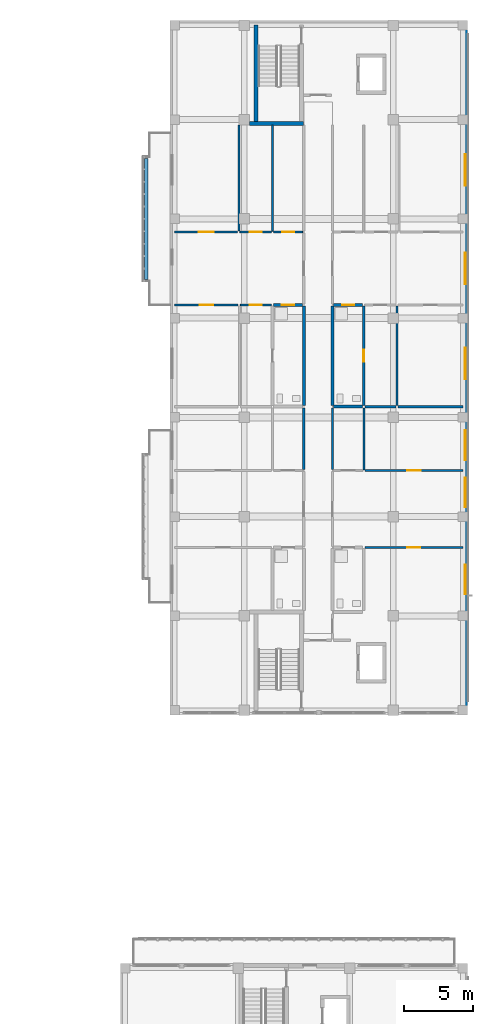
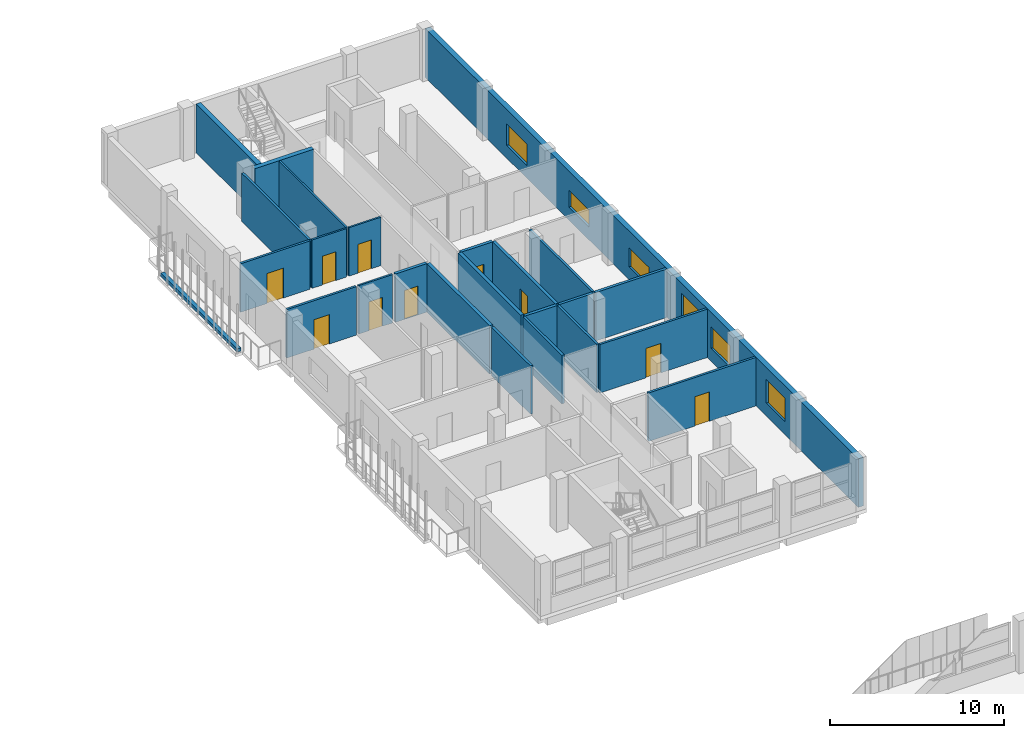
# One storey, part 51 of 73: 25 walls, 10 doors, 6 windows, 16 openings.
"""IFC4 building model written with IfcOpenShell, lengths in metres."""

from ifc_helpers import new_model, si_unit, derived_unit, direction, frame, frame_2d, origin, place, context, subcontext, project, spatial, rectangle, extrude, material, layer, layer_set, type_object, element, fill, save


model = new_model("IFC4")

# Units and contexts
model_context = context("Model", 3, precision=1e-05, world=origin(), true_north=direction((0.0, 1.0)))
body_context = subcontext(model_context, "Body", "Model", "MODEL_VIEW")
ifc_project = project(units=[si_unit("LENGTHUNIT", "METRE"), si_unit("AREAUNIT", "SQUARE_METRE"), si_unit("VOLUMEUNIT", "CUBIC_METRE"), si_unit("PLANEANGLEUNIT", "RADIAN"), si_unit("MASSUNIT", "GRAM", prefix="KILO"), derived_unit("THERMALTRANSMITTANCEUNIT", [(si_unit("MASSUNIT", "GRAM", prefix="KILO"), 1), (si_unit("TIMEUNIT", "SECOND"), -3), (si_unit("THERMODYNAMICTEMPERATUREUNIT", "KELVIN"), -1)])], contexts=[model_context])

# Site, building, storey
site_placement = place(None, origin())
site = spatial("IfcSite", under=ifc_project, at=site_placement, CompositionType="ELEMENT")
building_placement = place(site_placement, origin())
building = spatial("IfcBuilding", under=site, at=building_placement, Name="Ochrekiln Boulevard Commons", CompositionType="ELEMENT")
storey_placement = place(building_placement, frame((0.0, 0.0, 4.89990234375)))
storey = spatial("IfcBuildingStorey", under=building, at=storey_placement, Name="L01", CompositionType="ELEMENT", Elevation=4.89990234375)

# Wall, openings, windows
ifc_material_1 = material(Name="Iron-spot brown clinker brick masonry ASTM C216 Grade SW", Category="masonry")
ifc_layer_1 = layer(ifc_material_1, 0.340087890625)
ifc_layer_set_1 = layer_set([ifc_layer_1], Name="Iron-spot brown clinker brick masonry ASTM C216 Grade SW")
wall_type_1 = type_object("IfcWallType", Name="WL-EXT-IRON-340", PredefinedType="SOLIDWALL", material=ifc_layer_set_1)
wall_1_placement = place(storey_placement, frame((172.6298828125, 68.739990234375, 0.0), z_axis=(0.0, 0.0, 1.0), x_axis=(0.0, 1.0, 0.0)))
wall_1 = element("IfcWall", 1, at=wall_1_placement, inside=storey, type_object=wall_type_1, Name="Block B L01 E Exterior Wall", PredefinedType="SOLIDWALL", context=body_context, shape_type="SweptSolid", body=[
    extrude(rectangle(XDim=49.719970703125, YDim=0.340087890625, at=frame_2d((24.85986328125, 0.0))), origin(), (0.0, 0.0, 1.0), 3.4150390625),
])
opening_1_placement = place(wall_1_placement, frame((14.7490234375, 0.0, 0.89990234375)))
opening_1 = element("IfcOpeningElement", 2, at=opening_1_placement, cuts=wall_1, Name="Opening W-53", PredefinedType="OPENING", context=body_context, shape_type="SweptSolid", body=[
    extrude(rectangle(XDim=2.14990234375, YDim=1.5, at=frame_2d((1.074951171875, 0.75))), frame((0.0, 0.179931640625, 0.0), z_axis=(0.0, -1.0, 0.0), x_axis=(1.0, 0.0, 0.0)), (0.0, 0.0, 1.0), 0.360107421875),
])
opening_2_placement = place(wall_1_placement, frame((8.422119140625, 0.0, 0.89990234375)))
opening_2 = element("IfcOpeningElement", 3, at=opening_2_placement, cuts=wall_1, Name="Opening W-54", PredefinedType="OPENING", context=body_context, shape_type="SweptSolid", body=[
    extrude(rectangle(XDim=2.14990234375, YDim=1.64990234375, at=frame_2d((1.074951171875, 0.824951171875))), frame((0.0, 0.179931640625, 0.0), z_axis=(0.0, -1.0, 0.0), x_axis=(1.0, 0.0, 0.0)), (0.0, 0.0, 1.0), 0.360107421875),
])
opening_3_placement = place(wall_1_placement, frame((18.159912109375, 0.0, 0.89990234375)))
opening_3 = element("IfcOpeningElement", 4, at=opening_3_placement, cuts=wall_1, Name="Opening W-55", PredefinedType="OPENING", context=body_context, shape_type="SweptSolid", body=[
    extrude(rectangle(XDim=2.14990234375, YDim=1.800048828125, at=frame_2d((1.074951171875, 0.89990234375))), frame((0.0, 0.179931640625, 0.0), z_axis=(0.0, -1.0, 0.0), x_axis=(1.0, 0.0, 0.0)), (0.0, 0.0, 1.0), 0.360107421875),
])
opening_4_placement = place(wall_1_placement, frame((30.909912109375, 0.0, 0.89990234375)))
opening_4 = element("IfcOpeningElement", 5, at=opening_4_placement, cuts=wall_1, Name="Opening W-56", PredefinedType="OPENING", context=body_context, shape_type="SweptSolid", body=[
    extrude(rectangle(XDim=2.300048828125, YDim=1.199951171875, at=frame_2d((1.14990234375, 0.60009765625))), frame((0.0, 0.179931640625, 0.0), z_axis=(0.0, -1.0, 0.0), x_axis=(1.0, 0.0, 0.0)), (0.0, 0.0, 1.0), 0.360107421875),
])
opening_5_placement = place(wall_1_placement, frame((24.011962890625, 0.0, 0.89990234375)))
opening_5 = element("IfcOpeningElement", 6, at=opening_5_placement, cuts=wall_1, Name="Opening W-57", PredefinedType="OPENING", context=body_context, shape_type="SweptSolid", body=[
    extrude(rectangle(XDim=2.300048828125, YDim=1.35009765625, at=frame_2d((1.14990234375, 0.675048828125))), frame((0.0, 0.179931640625, 0.0), z_axis=(0.0, -1.0, 0.0), x_axis=(1.0, 0.0, 0.0)), (0.0, 0.0, 1.0), 0.360107421875),
])
opening_6_placement = place(wall_1_placement, frame((38.044921875, 0.0, 0.89990234375)))
opening_6 = element("IfcOpeningElement", 7, at=opening_6_placement, cuts=wall_1, Name="Opening W-58", PredefinedType="OPENING", context=body_context, shape_type="SweptSolid", body=[
    extrude(rectangle(XDim=2.300048828125, YDim=1.5, at=frame_2d((1.14990234375, 0.75))), frame((0.0, 0.179931640625, 0.0), z_axis=(0.0, -1.0, 0.0), x_axis=(1.0, 0.0, 0.0)), (0.0, 0.0, 1.0), 0.360107421875),
])
ifc_material_2 = material(Name="Thermally broken aluminium-clad oak frame", Category="aluminium")
window_type_1 = type_object("IfcWindowType", Name="WIN-EXT-53", PartitioningType="DOUBLE_PANEL_VERTICAL", PredefinedType="WINDOW", material=ifc_material_2)
window_1_placement = place(opening_1_placement, origin())
window_1 = element("IfcWindow", 8, at=window_1_placement, inside=storey, type_object=window_type_1, Name="Block B L01 Punched Masonry Window W-53", OverallHeight=1.5, OverallWidth=2.14990234375, PartitioningType="DOUBLE_PANEL_VERTICAL", PredefinedType="WINDOW", context=body_context, shape_type="SweptSolid", body=[
    extrude(rectangle(XDim=2.14990234375, YDim=1.5, at=frame_2d((1.074951171875, 0.75))), frame((0.0, 0.030029296875, 0.0), z_axis=(0.0, -1.0, 0.0), x_axis=(1.0, 0.0, 0.0)), (0.0, 0.0, 1.0), 0.06005859375),
])
fill(opening_1, window_1)
window_type_2 = type_object("IfcWindowType", Name="WIN-EXT-54", PartitioningType="DOUBLE_PANEL_VERTICAL", PredefinedType="WINDOW", material=ifc_material_2)
window_2_placement = place(opening_2_placement, origin())
window_2 = element("IfcWindow", 9, at=window_2_placement, inside=storey, type_object=window_type_2, Name="Block B L01 Punched Masonry Window W-54", OverallHeight=1.64990234375, OverallWidth=2.14990234375, PartitioningType="DOUBLE_PANEL_VERTICAL", PredefinedType="WINDOW", context=body_context, shape_type="SweptSolid", body=[
    extrude(rectangle(XDim=2.14990234375, YDim=1.64990234375, at=frame_2d((1.074951171875, 0.824951171875))), frame((0.0, 0.030029296875, 0.0), z_axis=(0.0, -1.0, 0.0), x_axis=(1.0, 0.0, 0.0)), (0.0, 0.0, 1.0), 0.06005859375),
])
fill(opening_2, window_2)
window_type_3 = type_object("IfcWindowType", Name="WIN-EXT-55", PartitioningType="DOUBLE_PANEL_VERTICAL", PredefinedType="WINDOW", material=ifc_material_2)
window_3_placement = place(opening_3_placement, origin())
window_3 = element("IfcWindow", 10, at=window_3_placement, inside=storey, type_object=window_type_3, Name="Block B L01 Punched Masonry Window W-55", OverallHeight=1.800048828125, OverallWidth=2.14990234375, PartitioningType="DOUBLE_PANEL_VERTICAL", PredefinedType="WINDOW", context=body_context, shape_type="SweptSolid", body=[
    extrude(rectangle(XDim=2.14990234375, YDim=1.800048828125, at=frame_2d((1.074951171875, 0.89990234375))), frame((0.0, 0.030029296875, 0.0), z_axis=(0.0, -1.0, 0.0), x_axis=(1.0, 0.0, 0.0)), (0.0, 0.0, 1.0), 0.06005859375),
])
fill(opening_3, window_3)
window_type_4 = type_object("IfcWindowType", Name="WIN-EXT-56", PartitioningType="DOUBLE_PANEL_VERTICAL", PredefinedType="WINDOW", material=ifc_material_2)
window_4_placement = place(opening_4_placement, origin())
window_4 = element("IfcWindow", 11, at=window_4_placement, inside=storey, type_object=window_type_4, Name="Block B L01 Punched Masonry Window W-56", OverallHeight=1.199951171875, OverallWidth=2.300048828125, PartitioningType="DOUBLE_PANEL_VERTICAL", PredefinedType="WINDOW", context=body_context, shape_type="SweptSolid", body=[
    extrude(rectangle(XDim=2.300048828125, YDim=1.199951171875, at=frame_2d((1.14990234375, 0.60009765625))), frame((0.0, 0.030029296875, 0.0), z_axis=(0.0, -1.0, 0.0), x_axis=(1.0, 0.0, 0.0)), (0.0, 0.0, 1.0), 0.06005859375),
])
fill(opening_4, window_4)
window_type_5 = type_object("IfcWindowType", Name="WIN-EXT-57", PartitioningType="DOUBLE_PANEL_VERTICAL", PredefinedType="WINDOW", material=ifc_material_2)
window_5_placement = place(opening_5_placement, origin())
window_5 = element("IfcWindow", 12, at=window_5_placement, inside=storey, type_object=window_type_5, Name="Block B L01 Punched Masonry Window W-57", OverallHeight=1.35009765625, OverallWidth=2.300048828125, PartitioningType="DOUBLE_PANEL_VERTICAL", PredefinedType="WINDOW", context=body_context, shape_type="SweptSolid", body=[
    extrude(rectangle(XDim=2.300048828125, YDim=1.35009765625, at=frame_2d((1.14990234375, 0.675048828125))), frame((0.0, 0.030029296875, 0.0), z_axis=(0.0, -1.0, 0.0), x_axis=(1.0, 0.0, 0.0)), (0.0, 0.0, 1.0), 0.06005859375),
])
fill(opening_5, window_5)
window_type_6 = type_object("IfcWindowType", Name="WIN-EXT-58", PartitioningType="DOUBLE_PANEL_VERTICAL", PredefinedType="WINDOW", material=ifc_material_2)
window_6_placement = place(opening_6_placement, origin())
window_6 = element("IfcWindow", 13, at=window_6_placement, inside=storey, type_object=window_type_6, Name="Block B L01 Punched Masonry Window W-58", OverallHeight=1.5, OverallWidth=2.300048828125, PartitioningType="DOUBLE_PANEL_VERTICAL", PredefinedType="WINDOW", context=body_context, shape_type="SweptSolid", body=[
    extrude(rectangle(XDim=2.300048828125, YDim=1.5, at=frame_2d((1.14990234375, 0.75))), frame((0.0, 0.030029296875, 0.0), z_axis=(0.0, -1.0, 0.0), x_axis=(1.0, 0.0, 0.0)), (0.0, 0.0, 1.0), 0.06005859375),
])
fill(opening_6, window_6)

# Wall, opening, door
ifc_material_3 = material(Name="Moisture-resistant cementitious tile backer wall")
ifc_layer_2 = layer(ifc_material_3, 0.199951171875)
ifc_layer_set_2 = layer_set([ifc_layer_2], Name="Moisture-resistant cementitious tile backer wall")
wall_type_2 = type_object("IfcWallType", Name="WL-PLM-200", PredefinedType="PLUMBINGWALL", material=ifc_layer_set_2)
wall_2_placement = place(storey_placement, frame((158.719970703125, 98.14990234375, 0.0), z_axis=(0.0, 0.0, 1.0), x_axis=(1.0, 0.0, 0.0)))
wall_2 = element("IfcWall", 14, at=wall_2_placement, inside=storey, type_object=wall_type_2, Name="L01 Interior Wall W-PW200", PredefinedType="PLUMBINGWALL", context=body_context, shape_type="SweptSolid", body=[
    extrude(rectangle(XDim=2.10693359375, YDim=0.199951171875, at=frame_2d((1.053466796875, 0.0))), origin(), (0.0, 0.0, 1.0), 3.39501953125),
])
opening_7_placement = place(wall_2_placement, frame((0.60498046875, 0.0, 0.0)))
opening_7 = element("IfcOpeningElement", 15, at=opening_7_placement, cuts=wall_2, Name="Opening D-L01-188", PredefinedType="OPENING", context=body_context, shape_type="SweptSolid", body=[
    extrude(rectangle(XDim=0.889892578125, YDim=2.030029296875, at=frame_2d((0.44482421875, 1.01513671875))), frame((0.0, 0.10986328125, 0.0), z_axis=(0.0, -1.0, 0.0), x_axis=(1.0, 0.0, 0.0)), (0.0, 0.0, 1.0), 0.219970703125),
])
ifc_material_4 = material(Name="Solid core architectural oak door leaf")
door_type_1 = type_object("IfcDoorType", Name="DR-INT-BTH-089", OperationType="NOTDEFINED", PredefinedType="DOOR", material=ifc_material_4)
door_1_placement = place(opening_7_placement, frame((0.889892578125, 0.0, 0.0), z_axis=(0.0, 0.0, 1.0), x_axis=(-1.0, 0.0, 0.0)))
door_1 = element("IfcDoor", 16, at=door_1_placement, inside=storey, type_object=door_type_1, Name="L01 Interior Door to Apartment Bathroom", OperationType="SINGLE_SWING_RIGHT", OverallHeight=2.030029296875, OverallWidth=0.889892578125, PredefinedType="DOOR", context=body_context, shape_type="SweptSolid", body=[
    extrude(rectangle(XDim=0.889892578125, YDim=2.030029296875, at=frame_2d((0.44482421875, 1.01513671875))), frame((0.0, 0.02490234375, 0.0), z_axis=(0.0, -1.0, 0.0), x_axis=(1.0, 0.0, 0.0)), (0.0, 0.0, 1.0), 0.050048828125),
])
fill(opening_7, door_1)

# Wall
wall_3_placement = place(storey_placement, frame((163.072998046875, 90.783935546875, 0.0), z_axis=(0.0, 0.0, 1.0), x_axis=(1.0, 0.0, 0.0)))
element("IfcWall", 17, at=wall_3_placement, inside=storey, type_object=wall_type_2, Name="L01 Interior Wall W-PW200", PredefinedType="PLUMBINGWALL", context=body_context, shape_type="SweptSolid", body=[
    extrude(rectangle(XDim=2.10693359375, YDim=0.199951171875, at=frame_2d((1.053466796875, 0.0))), origin(), (0.0, 0.0, 1.0), 3.39501953125),
])

# Wall, opening, door
wall_4_placement = place(storey_placement, frame((163.072998046875, 98.14990234375, 0.0), z_axis=(0.0, 0.0, 1.0), x_axis=(1.0, 0.0, 0.0)))
wall_4 = element("IfcWall", 18, at=wall_4_placement, inside=storey, type_object=wall_type_2, Name="L01 Interior Wall W-PW200", PredefinedType="PLUMBINGWALL", context=body_context, shape_type="SweptSolid", body=[
    extrude(rectangle(XDim=2.10693359375, YDim=0.199951171875, at=frame_2d((1.053466796875, 0.0))), origin(), (0.0, 0.0, 1.0), 3.39501953125),
])
opening_8_placement = place(wall_4_placement, frame((0.612060546875, 0.0, 0.0)))
opening_8 = element("IfcOpeningElement", 19, at=opening_8_placement, cuts=wall_4, Name="Opening D-L01-199", PredefinedType="OPENING", context=body_context, shape_type="SweptSolid", body=[
    extrude(rectangle(XDim=0.889892578125, YDim=2.030029296875, at=frame_2d((0.44482421875, 1.01513671875))), frame((0.0, 0.10986328125, 0.0), z_axis=(0.0, -1.0, 0.0), x_axis=(1.0, 0.0, 0.0)), (0.0, 0.0, 1.0), 0.219970703125),
])
door_2_placement = place(opening_8_placement, frame((0.889892578125, 0.0, 0.0), z_axis=(0.0, 0.0, 1.0), x_axis=(-1.0, 0.0, 0.0)))
door_2 = element("IfcDoor", 20, at=door_2_placement, inside=storey, type_object=door_type_1, Name="L01 Interior Door to Apartment Bathroom", OperationType="SINGLE_SWING_LEFT", OverallHeight=2.030029296875, OverallWidth=0.889892578125, PredefinedType="DOOR", context=body_context, shape_type="SweptSolid", body=[
    extrude(rectangle(XDim=0.889892578125, YDim=2.030029296875, at=frame_2d((0.44482421875, 1.01513671875))), frame((0.0, 0.02490234375, 0.0), z_axis=(0.0, -1.0, 0.0), x_axis=(1.0, 0.0, 0.0)), (0.0, 0.0, 1.0), 0.050048828125),
])
fill(opening_8, door_2)

wall_5_placement = place(storey_placement, frame((165.260009765625, 90.8740234375, 0.0), z_axis=(0.0, 0.0, 1.0), x_axis=(0.0, 1.0, 0.0)))
wall_5 = element("IfcWall", 21, at=wall_5_placement, inside=storey, type_object=wall_type_2, Name="L01 Interior Wall W-PW200", PredefinedType="PLUMBINGWALL", context=body_context, shape_type="SweptSolid", body=[
    extrude(rectangle(XDim=7.216064453125, YDim=0.199951171875, at=frame_2d((3.60791015625, 0.0))), origin(), (0.0, 0.0, 1.0), 3.39501953125),
])
opening_9_placement = place(wall_5_placement, frame((3.173095703125, 0.0, 0.0)))
opening_9 = element("IfcOpeningElement", 22, at=opening_9_placement, cuts=wall_5, Name="Opening D-L01-205", PredefinedType="OPENING", context=body_context, shape_type="SweptSolid", body=[
    extrude(rectangle(XDim=0.85009765625, YDim=2.010009765625, at=frame_2d((0.425048828125, 1.0048828125))), frame((0.0, 0.10986328125, 0.0), z_axis=(0.0, -1.0, 0.0), x_axis=(1.0, 0.0, 0.0)), (0.0, 0.0, 1.0), 0.219970703125),
])
door_type_2 = type_object("IfcDoorType", Name="DR-INT-KIT-085", OperationType="NOTDEFINED", PredefinedType="DOOR", material=ifc_material_4)
door_3_placement = place(opening_9_placement, origin())
door_3 = element("IfcDoor", 23, at=door_3_placement, inside=storey, type_object=door_type_2, Name="L01 Interior Door to Apartment Bathroom", OperationType="SINGLE_SWING_LEFT", OverallHeight=2.010009765625, OverallWidth=0.85009765625, PredefinedType="DOOR", context=body_context, shape_type="SweptSolid", body=[
    extrude(rectangle(XDim=0.85009765625, YDim=2.010009765625, at=frame_2d((0.425048828125, 1.0048828125))), frame((0.0, 0.02490234375, 0.0), z_axis=(0.0, -1.0, 0.0), x_axis=(1.0, 0.0, 0.0)), (0.0, 0.0, 1.0), 0.050048828125),
])
fill(opening_9, door_3)

# Walls
ifc_layer_3 = layer(ifc_material_3, 0.219970703125)
ifc_layer_set_3 = layer_set([ifc_layer_3], Name="Moisture-resistant cementitious tile backer wall")
wall_type_3 = type_object("IfcWallType", Name="WL-PLM-220", PredefinedType="PLUMBINGWALL", material=ifc_layer_set_3)
for number, where, z_axis, x_axis, name in (
    (24, (160.909912109375, 90.8740234375, 0.0), (0.0, 0.0, 1.0), (0.0, 1.0, 0.0), "L01 Interior Wall W-PW220"),
    (25, (162.989990234375, 90.8740234375, 0.0), (0.0, 0.0, 1.0), (0.0, 1.0, 0.0), "L01 Interior Wall W-PW220"),
):
    element("IfcWall", number, at=place(storey_placement, frame(where, z_axis=z_axis, x_axis=x_axis)), inside=storey, type_object=wall_type_3, Name=name, PredefinedType="PLUMBINGWALL", context=body_context, shape_type="SweptSolid", body=[
        extrude(rectangle(XDim=7.196044921875, YDim=0.219970703125, at=frame_2d((3.59814453125, 0.0))), origin(), (0.0, 0.0, 1.0), 3.39501953125),
    ])
ifc_material_5 = material(Name="Glazed architectural terracotta ASTM C1405", Category="masonry")
ifc_layer_4 = layer(ifc_material_5, 0.25)
ifc_layer_set_4 = layer_set([ifc_layer_4], Name="Glazed architectural terracotta ASTM C1405")
wall_type_4 = type_object("IfcWallType", Name="WL-PLN-250", PredefinedType="PARAPET", material=ifc_layer_set_4)
wall_6_placement = place(storey_placement, frame((149.47998046875, 100.010009765625, 0.0), z_axis=(0.0, 0.0, 1.0), x_axis=(0.0, 1.0, 0.0)))
element("IfcWall", 26, at=wall_6_placement, inside=storey, type_object=wall_type_4, Name="Block B L01 Balcony Terracotta Planter Box 2", PredefinedType="PARAPET", context=body_context, shape_type="SweptSolid", body=[
    extrude(rectangle(XDim=8.780029296875, YDim=0.25, at=frame_2d((4.39013671875, 0.0))), origin(), (0.0, 0.0, 1.0), 0.22998046875),
])
ifc_material_6 = material(Name="Fire-rated Type X gypsum board on steel studs", Category="steel")
ifc_layer_5 = layer(ifc_material_6, 0.1650390625)
ifc_layer_set_5 = layer_set([ifc_layer_5], Name="Fire-rated Type X gypsum board on steel studs")
wall_type_5 = type_object("IfcWallType", Name="WL-PT-CORR-165", PredefinedType="PARTITIONING", material=ifc_layer_set_5)
for number, where, z_axis, x_axis, name in (
    (27, (160.909912109375, 86.218994140625, 0.0), (0.0, 0.0, 1.0), (0.0, 1.0, 0.0), "L01 Interior Wall W-PC165"),
    (28, (162.989990234375, 86.218994140625, 0.0), (0.0, 0.0, 1.0), (0.0, 1.0, 0.0), "L01 Interior Wall W-PC165"),
):
    element("IfcWall", number, at=place(storey_placement, frame(where, z_axis=z_axis, x_axis=x_axis)), inside=storey, type_object=wall_type_5, Name=name, PredefinedType="PARTITIONING", context=body_context, shape_type="SweptSolid", body=[
        extrude(rectangle(XDim=4.47509765625, YDim=0.1650390625, at=frame_2d((2.237548828125, 0.0))), origin(), (0.0, 0.0, 1.0), 3.39501953125),
    ])
ifc_layer_6 = layer(ifc_material_6, 0.179931640625)
ifc_layer_set_6 = layer_set([ifc_layer_6], Name="Fire-rated Type X gypsum board on steel studs")
wall_type_6 = type_object("IfcWallType", Name="WL-PT-DEM-180", PredefinedType="PARTITIONING", material=ifc_layer_set_6)
wall_7_placement = place(storey_placement, frame((167.75, 90.783935546875, 0.0), z_axis=(0.0, 0.0, 1.0), x_axis=(1.0, 0.0, 0.0)))
element("IfcWall", 29, at=wall_7_placement, inside=storey, type_object=wall_type_6, Name="L01 Interior Wall W-PD180", PredefinedType="PARTITIONING", context=body_context, shape_type="SweptSolid", body=[
    extrude(rectangle(XDim=4.7099609375, YDim=0.179931640625, at=frame_2d((2.35498046875, 0.0))), origin(), (0.0, 0.0, 1.0), 3.39501953125),
])
wall_8_placement = place(storey_placement, frame((165.3349609375, 90.783935546875, 0.0), z_axis=(0.0, 0.0, 1.0), x_axis=(1.0, 0.0, 0.0)))
element("IfcWall", 30, at=wall_8_placement, inside=storey, type_object=wall_type_6, Name="L01 Interior Wall W-PD180", PredefinedType="PARTITIONING", context=body_context, shape_type="SweptSolid", body=[
    extrude(rectangle(XDim=2.255126953125, YDim=0.179931640625, at=frame_2d((1.12744140625, 0.0))), origin(), (0.0, 0.0, 1.0), 3.39501953125),
])

# Wall, opening, door
ifc_layer_7 = layer(ifc_material_6, 0.1201171875)
ifc_layer_set_7 = layer_set([ifc_layer_7], Name="Fire-rated Type X gypsum board on steel studs")
wall_type_7 = type_object("IfcWallType", Name="WL-PT-LGT-120", PredefinedType="PARTITIONING", material=ifc_layer_set_7)
wall_9_placement = place(storey_placement, frame((158.719970703125, 103.449951171875, 0.0), z_axis=(0.0, 0.0, 1.0), x_axis=(1.0, 0.0, 0.0)))
wall_9 = element("IfcWall", 31, at=wall_9_placement, inside=storey, type_object=wall_type_7, Name="L01 Interior Wall W-PL120", PredefinedType="PARTITIONING", context=body_context, shape_type="SweptSolid", body=[
    extrude(rectangle(XDim=2.10693359375, YDim=0.1201171875, at=frame_2d((1.053466796875, 0.0))), origin(), (0.0, 0.0, 1.0), 3.39501953125),
])
opening_10_placement = place(wall_9_placement, frame((0.610107421875, 0.0, 0.0)))
opening_10 = element("IfcOpeningElement", 32, at=opening_10_placement, cuts=wall_9, Name="Opening D-L01-189", PredefinedType="OPENING", context=body_context, shape_type="SweptSolid", body=[
    extrude(rectangle(XDim=0.8798828125, YDim=2.02001953125, at=frame_2d((0.43994140625, 1.010009765625))), frame((0.0, 0.070068359375, 0.0), z_axis=(0.0, -1.0, 0.0), x_axis=(1.0, 0.0, 0.0)), (0.0, 0.0, 1.0), 0.14013671875),
])
door_type_3 = type_object("IfcDoorType", Name="DR-INT-KIT-088", OperationType="NOTDEFINED", PredefinedType="DOOR", material=ifc_material_4)
door_4_placement = place(opening_10_placement, origin())
door_4 = element("IfcDoor", 33, at=door_4_placement, inside=storey, type_object=door_type_3, Name="L01 Interior Door to Apartment Kitchen", OperationType="SINGLE_SWING_LEFT", OverallHeight=2.02001953125, OverallWidth=0.8798828125, PredefinedType="DOOR", context=body_context, shape_type="SweptSolid", body=[
    extrude(rectangle(XDim=0.8798828125, YDim=2.02001953125, at=frame_2d((0.43994140625, 1.010009765625))), frame((0.0, 0.02490234375, 0.0), z_axis=(0.0, -1.0, 0.0), x_axis=(1.0, 0.0, 0.0)), (0.0, 0.0, 1.0), 0.050048828125),
])
fill(opening_10, door_4)

wall_10_placement = place(storey_placement, frame((156.31005859375, 98.14990234375, 0.0), z_axis=(0.0, 0.0, 1.0), x_axis=(1.0, 0.0, 0.0)))
wall_10 = element("IfcWall", 34, at=wall_10_placement, inside=storey, type_object=wall_type_7, Name="L01 Interior Wall W-PL120", PredefinedType="PARTITIONING", context=body_context, shape_type="SweptSolid", body=[
    extrude(rectangle(XDim=2.25, YDim=0.1201171875, at=frame_2d((1.125, 0.0))), origin(), (0.0, 0.0, 1.0), 3.39501953125),
])
opening_11_placement = place(wall_10_placement, frame((0.68505859375, 0.0, 0.0)))
opening_11 = element("IfcOpeningElement", 35, at=opening_11_placement, cuts=wall_10, Name="Opening D-L01-191", PredefinedType="OPENING", context=body_context, shape_type="SweptSolid", body=[
    extrude(rectangle(XDim=0.8798828125, YDim=2.02001953125, at=frame_2d((0.43994140625, 1.010009765625))), frame((0.0, 0.070068359375, 0.0), z_axis=(0.0, -1.0, 0.0), x_axis=(1.0, 0.0, 0.0)), (0.0, 0.0, 1.0), 0.14013671875),
])
door_5_placement = place(opening_11_placement, frame((0.8798828125, 0.0, 0.0), z_axis=(0.0, 0.0, 1.0), x_axis=(-1.0, 0.0, 0.0)))
door_5 = element("IfcDoor", 36, at=door_5_placement, inside=storey, type_object=door_type_3, Name="L01 Interior Door to Apartment Walk-In Wardrobe", OperationType="SINGLE_SWING_LEFT", OverallHeight=2.02001953125, OverallWidth=0.8798828125, PredefinedType="DOOR", context=body_context, shape_type="SweptSolid", body=[
    extrude(rectangle(XDim=0.8798828125, YDim=2.02001953125, at=frame_2d((0.43994140625, 1.010009765625))), frame((0.0, 0.02490234375, 0.0), z_axis=(0.0, -1.0, 0.0), x_axis=(1.0, 0.0, 0.0)), (0.0, 0.0, 1.0), 0.050048828125),
])
fill(opening_11, door_5)

wall_11_placement = place(storey_placement, frame((156.27294921875, 103.449951171875, 0.0), z_axis=(0.0, 0.0, 1.0), x_axis=(1.0, 0.0, 0.0)))
wall_11 = element("IfcWall", 37, at=wall_11_placement, inside=storey, type_object=wall_type_7, Name="L01 Interior Wall W-PL120", PredefinedType="PARTITIONING", context=body_context, shape_type="SweptSolid", body=[
    extrude(rectangle(XDim=2.287109375, YDim=0.1201171875, at=frame_2d((1.1435546875, 0.0))), origin(), (0.0, 0.0, 1.0), 3.39501953125),
])
opening_12_placement = place(wall_11_placement, frame((0.702880859375, 0.0, 0.0)))
opening_12 = element("IfcOpeningElement", 38, at=opening_12_placement, cuts=wall_11, Name="Opening D-L01-193", PredefinedType="OPENING", context=body_context, shape_type="SweptSolid", body=[
    extrude(rectangle(XDim=0.8798828125, YDim=2.02001953125, at=frame_2d((0.43994140625, 1.010009765625))), frame((0.0, 0.070068359375, 0.0), z_axis=(0.0, -1.0, 0.0), x_axis=(1.0, 0.0, 0.0)), (0.0, 0.0, 1.0), 0.14013671875),
])
door_6_placement = place(opening_12_placement, origin())
door_6 = element("IfcDoor", 39, at=door_6_placement, inside=storey, type_object=door_type_3, Name="L01 Interior Door to Apartment Walk-In Wardrobe", OperationType="SINGLE_SWING_LEFT", OverallHeight=2.02001953125, OverallWidth=0.8798828125, PredefinedType="DOOR", context=body_context, shape_type="SweptSolid", body=[
    extrude(rectangle(XDim=0.8798828125, YDim=2.02001953125, at=frame_2d((0.43994140625, 1.010009765625))), frame((0.0, 0.02490234375, 0.0), z_axis=(0.0, -1.0, 0.0), x_axis=(1.0, 0.0, 0.0)), (0.0, 0.0, 1.0), 0.050048828125),
])
fill(opening_12, door_6)

# Wall
wall_12_placement = place(storey_placement, frame((158.639892578125, 103.510009765625, 0.0), z_axis=(0.0, 0.0, 1.0), x_axis=(0.0, 1.0, 0.0)))
element("IfcWall", 40, at=wall_12_placement, inside=storey, type_object=wall_type_7, Name="L01 Interior Wall W-PL120", PredefinedType="PARTITIONING", context=body_context, shape_type="SweptSolid", body=[
    extrude(rectangle(XDim=7.68994140625, YDim=0.1201171875, at=frame_2d((3.844970703125, 0.0))), origin(), (0.0, 0.0, 1.0), 3.39501953125),
])

# Wall, opening, door
ifc_layer_8 = layer(ifc_material_6, 0.14990234375)
ifc_layer_set_8 = layer_set([ifc_layer_8], Name="Fire-rated Type X gypsum board on steel studs")
wall_type_8 = type_object("IfcWallType", Name="WL-PT-STD-150", PredefinedType="PARTITIONING", material=ifc_layer_set_8)
wall_13_placement = place(storey_placement, frame((151.5400390625, 98.14990234375, 0.0), z_axis=(0.0, 0.0, 1.0), x_axis=(1.0, 0.0, 0.0)))
wall_13 = element("IfcWall", 41, at=wall_13_placement, inside=storey, type_object=wall_type_8, Name="L01 Interior Wall W-PS150", PredefinedType="PARTITIONING", context=body_context, shape_type="SweptSolid", body=[
    extrude(rectangle(XDim=4.60986328125, YDim=0.14990234375, at=frame_2d((2.304931640625, 0.0))), origin(), (0.0, 0.0, 1.0), 3.39501953125),
])
opening_13_placement = place(wall_13_placement, frame((1.81005859375, 0.0, 0.0)))
opening_13 = element("IfcOpeningElement", 42, at=opening_13_placement, cuts=wall_13, Name="Opening D-L01-190", PredefinedType="OPENING", context=body_context, shape_type="SweptSolid", body=[
    extrude(rectangle(XDim=1.0, YDim=2.06005859375, at=frame_2d((0.5, 1.030029296875))), frame((0.0, 0.0849609375, 0.0), z_axis=(0.0, -1.0, 0.0), x_axis=(1.0, 0.0, 0.0)), (0.0, 0.0, 1.0), 0.169921875),
])
door_type_4 = type_object("IfcDoorType", Name="DR-INT-BED-100", OperationType="NOTDEFINED", PredefinedType="DOOR", material=ifc_material_4)
door_7_placement = place(opening_13_placement, frame((1.0, 0.0, 0.0), z_axis=(0.0, 0.0, 1.0), x_axis=(-1.0, 0.0, 0.0)))
door_7 = element("IfcDoor", 43, at=door_7_placement, inside=storey, type_object=door_type_4, Name="L01 Interior Door to Primary Apartment Bedroom", OperationType="SINGLE_SWING_RIGHT", OverallHeight=2.06005859375, OverallWidth=1.0, PredefinedType="DOOR", context=body_context, shape_type="SweptSolid", body=[
    extrude(rectangle(XDim=1.0, YDim=2.06005859375, at=frame_2d((0.5, 1.030029296875))), frame((0.0, 0.02490234375, 0.0), z_axis=(0.0, -1.0, 0.0), x_axis=(1.0, 0.0, 0.0)), (0.0, 0.0, 1.0), 0.050048828125),
])
fill(opening_13, door_7)

wall_14_placement = place(storey_placement, frame((151.5400390625, 103.449951171875, 0.0), z_axis=(0.0, 0.0, 1.0), x_axis=(1.0, 0.0, 0.0)))
wall_14 = element("IfcWall", 44, at=wall_14_placement, inside=storey, type_object=wall_type_8, Name="L01 Interior Wall W-PS150", PredefinedType="PARTITIONING", context=body_context, shape_type="SweptSolid", body=[
    extrude(rectangle(XDim=4.572998046875, YDim=0.14990234375, at=frame_2d((2.28662109375, 0.0))), origin(), (0.0, 0.0, 1.0), 3.39501953125),
])
opening_14_placement = place(wall_14_placement, frame((1.751953125, 0.0, 0.0)))
opening_14 = element("IfcOpeningElement", 45, at=opening_14_placement, cuts=wall_14, Name="Opening D-L01-192", PredefinedType="OPENING", context=body_context, shape_type="SweptSolid", body=[
    extrude(rectangle(XDim=1.080078125, YDim=2.10009765625, at=frame_2d((0.5400390625, 1.050048828125))), frame((0.0, 0.0849609375, 0.0), z_axis=(0.0, -1.0, 0.0), x_axis=(1.0, 0.0, 0.0)), (0.0, 0.0, 1.0), 0.169921875),
])
door_type_5 = type_object("IfcDoorType", Name="DR-INT-BED-108", OperationType="NOTDEFINED", PredefinedType="DOOR", material=ifc_material_4)
door_8_placement = place(opening_14_placement, origin())
door_8 = element("IfcDoor", 46, at=door_8_placement, inside=storey, type_object=door_type_5, Name="L01 Interior Door to Secondary Apartment Bedroom", OperationType="SINGLE_SWING_RIGHT", OverallHeight=2.10009765625, OverallWidth=1.080078125, PredefinedType="DOOR", context=body_context, shape_type="SweptSolid", body=[
    extrude(rectangle(XDim=1.080078125, YDim=2.10009765625, at=frame_2d((0.5400390625, 1.050048828125))), frame((0.0, 0.02490234375, 0.0), z_axis=(0.0, -1.0, 0.0), x_axis=(1.0, 0.0, 0.0)), (0.0, 0.0, 1.0), 0.050048828125),
])
fill(opening_14, door_8)

# Wall
wall_15_placement = place(storey_placement, frame((156.193115234375, 103.510009765625, 0.0), z_axis=(0.0, 0.0, 1.0), x_axis=(0.0, 1.0, 0.0)))
element("IfcWall", 47, at=wall_15_placement, inside=storey, type_object=wall_type_8, Name="L01 Interior Wall W-PS150", PredefinedType="PARTITIONING", context=body_context, shape_type="SweptSolid", body=[
    extrude(rectangle(XDim=7.68994140625, YDim=0.14990234375, at=frame_2d((3.844970703125, 0.0))), origin(), (0.0, 0.0, 1.0), 3.39501953125),
])

# Wall, opening, door
wall_16_placement = place(storey_placement, frame((165.340087890625, 80.554931640625, 0.0), z_axis=(0.0, 0.0, 1.0), x_axis=(1.0, 0.0, 0.0)))
wall_16 = element("IfcWall", 48, at=wall_16_placement, inside=storey, type_object=wall_type_8, Name="L01 Interior Wall W-PS150", PredefinedType="PARTITIONING", context=body_context, shape_type="SweptSolid", body=[
    extrude(rectangle(XDim=7.119873046875, YDim=0.14990234375, at=frame_2d((3.56005859375, 0.0))), origin(), (0.0, 0.0, 1.0), 3.39501953125),
])
opening_15_placement = place(wall_16_placement, frame((3.0849609375, 0.0, 0.0)))
opening_15 = element("IfcOpeningElement", 49, at=opening_15_placement, cuts=wall_16, Name="Opening D-L01-197", PredefinedType="OPENING", context=body_context, shape_type="SweptSolid", body=[
    extrude(rectangle(XDim=0.93994140625, YDim=2.06005859375, at=frame_2d((0.469970703125, 1.030029296875))), frame((0.0, 0.0849609375, 0.0), z_axis=(0.0, -1.0, 0.0), x_axis=(1.0, 0.0, 0.0)), (0.0, 0.0, 1.0), 0.169921875),
])
door_type_6 = type_object("IfcDoorType", Name="DR-INT-BED-094", OperationType="NOTDEFINED", PredefinedType="DOOR", material=ifc_material_4)
door_9_placement = place(opening_15_placement, frame((0.93994140625, 0.0, 0.0), z_axis=(0.0, 0.0, 1.0), x_axis=(-1.0, 0.0, 0.0)))
door_9 = element("IfcDoor", 50, at=door_9_placement, inside=storey, type_object=door_type_6, Name="L01 Interior Door to Primary Apartment Bedroom", OperationType="SINGLE_SWING_LEFT", OverallHeight=2.06005859375, OverallWidth=0.93994140625, PredefinedType="DOOR", context=body_context, shape_type="SweptSolid", body=[
    extrude(rectangle(XDim=0.93994140625, YDim=2.06005859375, at=frame_2d((0.469970703125, 1.030029296875))), frame((0.0, 0.02490234375, 0.0), z_axis=(0.0, -1.0, 0.0), x_axis=(1.0, 0.0, 0.0)), (0.0, 0.0, 1.0), 0.050048828125),
])
fill(opening_15, door_9)

wall_17_placement = place(storey_placement, frame((165.340087890625, 86.138916015625, 0.0), z_axis=(0.0, 0.0, 1.0), x_axis=(1.0, 0.0, 0.0)))
wall_17 = element("IfcWall", 51, at=wall_17_placement, inside=storey, type_object=wall_type_8, Name="L01 Interior Wall W-PS150", PredefinedType="PARTITIONING", context=body_context, shape_type="SweptSolid", body=[
    extrude(rectangle(XDim=7.119873046875, YDim=0.14990234375, at=frame_2d((3.56005859375, 0.0))), origin(), (0.0, 0.0, 1.0), 3.39501953125),
])
opening_16_placement = place(wall_17_placement, frame((3.054931640625, 0.0, 0.0)))
opening_16 = element("IfcOpeningElement", 52, at=opening_16_placement, cuts=wall_17, Name="Opening D-L01-198", PredefinedType="OPENING", context=body_context, shape_type="SweptSolid", body=[
    extrude(rectangle(XDim=1.0, YDim=2.06005859375, at=frame_2d((0.5, 1.030029296875))), frame((0.0, 0.0849609375, 0.0), z_axis=(0.0, -1.0, 0.0), x_axis=(1.0, 0.0, 0.0)), (0.0, 0.0, 1.0), 0.169921875),
])
door_10_placement = place(opening_16_placement, origin())
door_10 = element("IfcDoor", 53, at=door_10_placement, inside=storey, type_object=door_type_4, Name="L01 Interior Door to Secondary Apartment Bedroom", OperationType="SINGLE_SWING_RIGHT", OverallHeight=2.06005859375, OverallWidth=1.0, PredefinedType="DOOR", context=body_context, shape_type="SweptSolid", body=[
    extrude(rectangle(XDim=1.0, YDim=2.06005859375, at=frame_2d((0.5, 1.030029296875))), frame((0.0, 0.02490234375, 0.0), z_axis=(0.0, -1.0, 0.0), x_axis=(1.0, 0.0, 0.0)), (0.0, 0.0, 1.0), 0.050048828125),
])
fill(opening_16, door_10)

# Walls
wall_18_placement = place(storey_placement, frame((165.260009765625, 86.198974609375, 0.0), z_axis=(0.0, 0.0, 1.0), x_axis=(0.0, 1.0, 0.0)))
element("IfcWall", 54, at=wall_18_placement, inside=storey, type_object=wall_type_8, Name="L01 Interior Wall W-PS150", PredefinedType="PARTITIONING", context=body_context, shape_type="SweptSolid", body=[
    extrude(rectangle(XDim=4.4951171875, YDim=0.14990234375, at=frame_2d((2.24755859375, 0.0))), origin(), (0.0, 0.0, 1.0), 3.39501953125),
])
wall_19_placement = place(storey_placement, frame((167.669921875, 90.8740234375, 0.0), z_axis=(0.0, 0.0, 1.0), x_axis=(0.0, 1.0, 0.0)))
element("IfcWall", 55, at=wall_19_placement, inside=storey, type_object=wall_type_8, Name="L01 Interior Wall W-PS150", PredefinedType="PARTITIONING", context=body_context, shape_type="SweptSolid", body=[
    extrude(rectangle(XDim=7.200927734375, YDim=0.14990234375, at=frame_2d((3.6005859375, 0.0))), origin(), (0.0, 0.0, 1.0), 3.39501953125),
])
ifc_material_7 = material(Name="Concrete C40/50", Category="concrete")
ifc_layer_9 = layer(ifc_material_7, 0.300048828125)
ifc_layer_set_9 = layer_set([ifc_layer_9], Name="Concrete C40/50")
wall_type_9 = type_object("IfcWallType", Name="WL-SH-300", PredefinedType="SHEAR", material=ifc_layer_set_9)
wall_20_placement = place(storey_placement, frame((156.97509765625, 111.330078125, 0.0), z_axis=(0.0, 0.0, 1.0), x_axis=(1.0, 0.0, 0.0)))
element("IfcWall", 56, at=wall_20_placement, inside=storey, type_object=wall_type_9, Name="Stair ST-B2 L01 Core Shear Wall S", PredefinedType="SHEAR", context=body_context, shape_type="SweptSolid", body=[
    extrude(rectangle(XDim=3.9248046875, YDim=0.300048828125, at=frame_2d((1.96240234375, 0.0))), origin(), (0.0, 0.0, 1.0), 3.4150390625),
])
wall_21_placement = place(storey_placement, frame((157.449951171875, 111.47998046875, 0.0), z_axis=(0.0, 0.0, 1.0), x_axis=(0.0, 1.0, 0.0)))
element("IfcWall", 57, at=wall_21_placement, inside=storey, type_object=wall_type_9, Name="Stair ST-B2 L01 Core Shear Wall W", PredefinedType="SHEAR", context=body_context, shape_type="SweptSolid", body=[
    extrude(rectangle(XDim=7.0, YDim=0.300048828125, at=frame_2d((3.5, 0.0))), origin(), (0.0, 0.0, 1.0), 3.4150390625),
])

save(model, "model.ifc")
